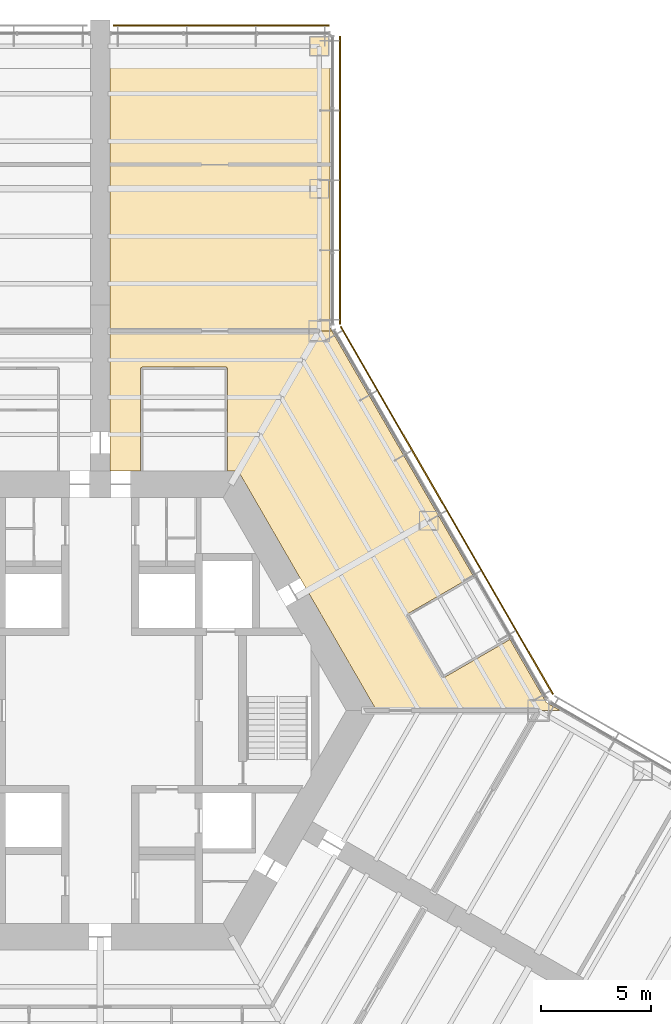
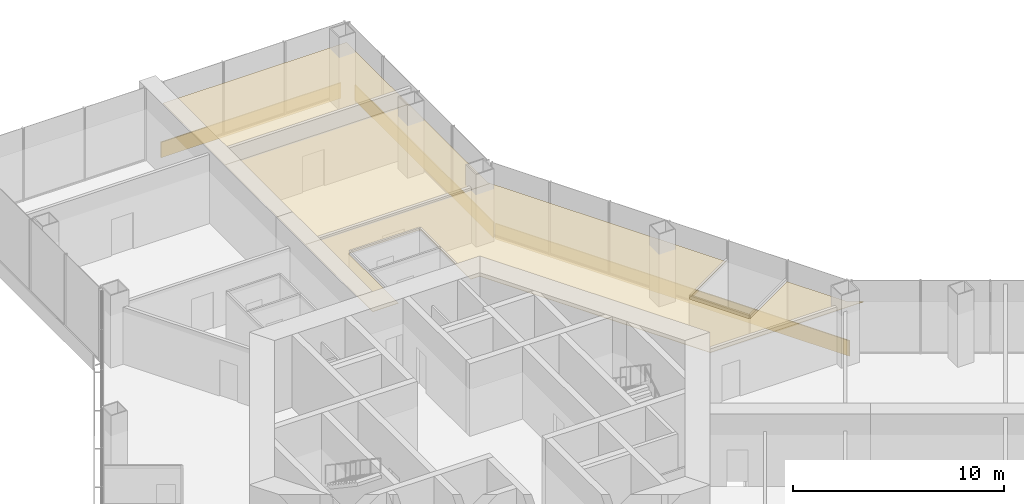
# One storey, part 16 of 16: 3 coverings, 3 shading devices.
"""IFC4 building model written with IfcOpenShell, lengths in metres."""

from ifc_helpers import new_model, si_unit, direction, frame, origin, origin_2d, place, context, subcontext, project, spatial, polyline, rectangle, outline, extrude, material, layer, layer_set, type_object, element, save


model = new_model("IFC4")

# Units and contexts
model_context = context("Model", 3, precision=1e-05, world=origin(), true_north=direction((0.0, 1.0)))
body_context = subcontext(model_context, "Body", "Model", "MODEL_VIEW")
ifc_project = project(units=[si_unit("LENGTHUNIT", "METRE"), si_unit("AREAUNIT", "SQUARE_METRE"), si_unit("VOLUMEUNIT", "CUBIC_METRE"), si_unit("PLANEANGLEUNIT", "RADIAN"), si_unit("MASSUNIT", "GRAM", prefix="KILO")], contexts=[model_context])

# Site, building, storey
site_placement = place(None, origin())
site = spatial("IfcSite", under=ifc_project, at=site_placement, CompositionType="ELEMENT")
building_placement = place(site_placement, origin())
building = spatial("IfcBuilding", under=site, at=building_placement, Name="Kasaneha Research Tower", CompositionType="ELEMENT")
storey_placement = place(building_placement, frame((0.0, 0.0, 22.60009765625)))
storey = spatial("IfcBuildingStorey", under=building, at=storey_placement, Name="L06", CompositionType="ELEMENT", Elevation=22.60009765625)

# Coverings
ifc_material_1 = material(Name="Washable coated ceiling board", Category="gypsum")
ifc_layer_1 = layer(ifc_material_1, 0.02490234375)
ifc_layer_set_1 = layer_set([ifc_layer_1], Name="Laboratory ceiling 25")
covering_type = type_object("IfcCoveringType", Name="Laboratory ceiling 25", PredefinedType="CEILING", material=ifc_layer_set_1)
covering_1_placement = place(storey_placement, frame((0.0, 0.0, 3.0)))
element("IfcCovering", 1, at=covering_1_placement, inside=storey, type_object=covering_type, Name="Ceiling L06-31", PredefinedType="CEILING", context=body_context, shape_type="SweptSolid", body=[
    extrude(outline(polyline([(6.3076171875, 10.925048828125), (5.80712890625, 10.925048828125), (5.80712890625, 15.625), (5.757568359375, 15.625), (5.757568359375, 15.62548828125), (5.757080078125, 15.62548828125), (5.757080078125, 15.675048828125), (1.89990234375, 15.675048828125), (1.89990234375, 15.62548828125), (1.899658203125, 15.62548828125), (1.899658203125, 15.625), (1.85009765625, 15.625), (1.85009765625, 10.925048828125), (0.449951171875, 10.925048828125), (0.449951171875, 11.72509765625), (0.449951171875, 12.72509765625), (0.449951171875, 17.320556640625), (10.577392578125, 17.320556640625), (17.055908203125, 6.09912109375), (17.04736328125, 6.09423828125), (17.022705078125, 6.13720703125), (14.0, 4.39208984375), (14.02490234375, 4.34912109375), (14.024658203125, 4.348876953125), (14.02490234375, 4.3486328125), (13.981689453125, 4.32373046875), (15.60498046875, 1.51220703125), (15.64794921875, 1.537109375), (15.64794921875, 1.537109375), (15.648193359375, 1.537353515625), (15.67333984375, 1.493896484375), (18.68701171875, 3.23388671875), (18.662353515625, 3.27685546875), (18.6796875, 3.286865234375), (20.365966796875, 0.365966796875), (21.0, 0.0), (12.614990234375, 0.0), (6.3076171875, 10.925048828125)])), origin(), (0.0, 0.0, 1.0), 0.02490234375),
])
covering_2_placement = place(storey_placement, frame((0.0, 0.0, 3.0)))
element("IfcCovering", 2, at=covering_2_placement, inside=storey, type_object=covering_type, Name="Ceiling L06-32", PredefinedType="CEILING", context=body_context, shape_type="SweptSolid", body=[
    extrude(outline(polyline([(10.5, 24.92041015625), (10.5, 17.45458984375), (10.577392578125, 17.320556640625), (0.449951171875, 17.320556640625), (0.449951171875, 24.92041015625), (10.5, 24.92041015625)])), origin(), (0.0, 0.0, 1.0), 0.02490234375),
])
covering_3_placement = place(storey_placement, frame((0.0, 0.0, 3.0)))
element("IfcCovering", 3, at=covering_3_placement, inside=storey, type_object=covering_type, Name="Ceiling L06-33", PredefinedType="CEILING", context=body_context, shape_type="SweptSolid", body=[
    extrude(outline(polyline([(10.5, 30.820556640625), (10.5, 24.92041015625), (0.449951171875, 24.92041015625), (0.449951171875, 30.820556640625), (10.5, 30.820556640625)])), origin(), (0.0, 0.0, 1.0), 0.02490234375),
])

# Shading devices
ifc_material_2 = material(Name="Terracotta", Category="masonry")
ifc_layer_2 = layer(ifc_material_2, 0.06005859375)
ifc_layer_set_2 = layer_set([ifc_layer_2], Name="Terracotta baguette screen")
shading_device_type = type_object("IfcShadingDeviceType", Name="Terracotta baguette screen", PredefinedType="USERDEFINED", material=ifc_layer_set_2)
shading_device_1_placement = place(storey_placement, frame((15.82275390625, 9.13525390625, -0.449951171875), z_axis=(0.0, 0.0, 1.0), x_axis=(-0.49999996188, 0.866025425793, 0.0)))
element("IfcShadingDevice", 4, at=shading_device_1_placement, inside=storey, type_object=shading_device_type, Name="Baguette screen L06 07", ObjectType="TERRACOTTA BAGUETTE SCREEN", PredefinedType="USERDEFINED", context=body_context, shape_type="SweptSolid", body=[
    extrude(rectangle(XDim=19.37841796875, YDim=0.06005859375, at=origin_2d()), origin(), (0.0, 0.0, 1.0), 0.89990234375),
])
shading_device_2_placement = place(storey_placement, frame((10.949951171875, 24.200927734375, -0.449951171875), z_axis=(0.0, 0.0, 1.0), x_axis=(0.0, 1.0, 0.0)))
element("IfcShadingDevice", 5, at=shading_device_2_placement, inside=storey, type_object=shading_device_type, Name="Baguette screen L06 08", ObjectType="TERRACOTTA BAGUETTE SCREEN", PredefinedType="USERDEFINED", context=body_context, shape_type="SweptSolid", body=[
    extrude(rectangle(XDim=13.13916015625, YDim=0.06005859375, at=origin_2d()), origin(), (0.0, 0.0, 1.0), 0.89990234375),
])
shading_device_3_placement = place(storey_placement, frame((5.52490234375, 31.2705078125, -0.449951171875), z_axis=(0.0, 0.0, 1.0), x_axis=(-1.0, 0.0, 0.0)))
element("IfcShadingDevice", 6, at=shading_device_3_placement, inside=storey, type_object=shading_device_type, Name="Baguette screen L06 09", ObjectType="TERRACOTTA BAGUETTE SCREEN", PredefinedType="USERDEFINED", context=body_context, shape_type="SweptSolid", body=[
    extrude(rectangle(XDim=9.85009765625, YDim=0.06005859375, at=origin_2d()), origin(), (0.0, 0.0, 1.0), 0.89990234375),
])

save(model, "model.ifc")
